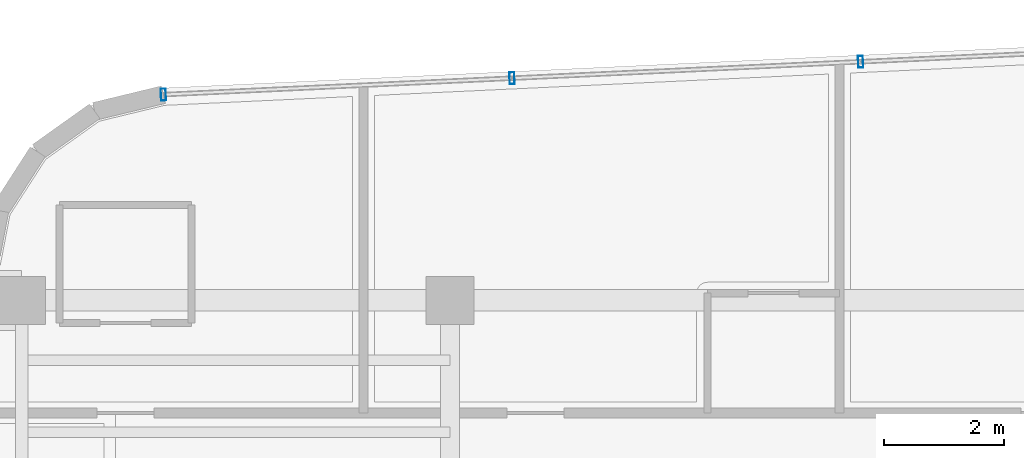
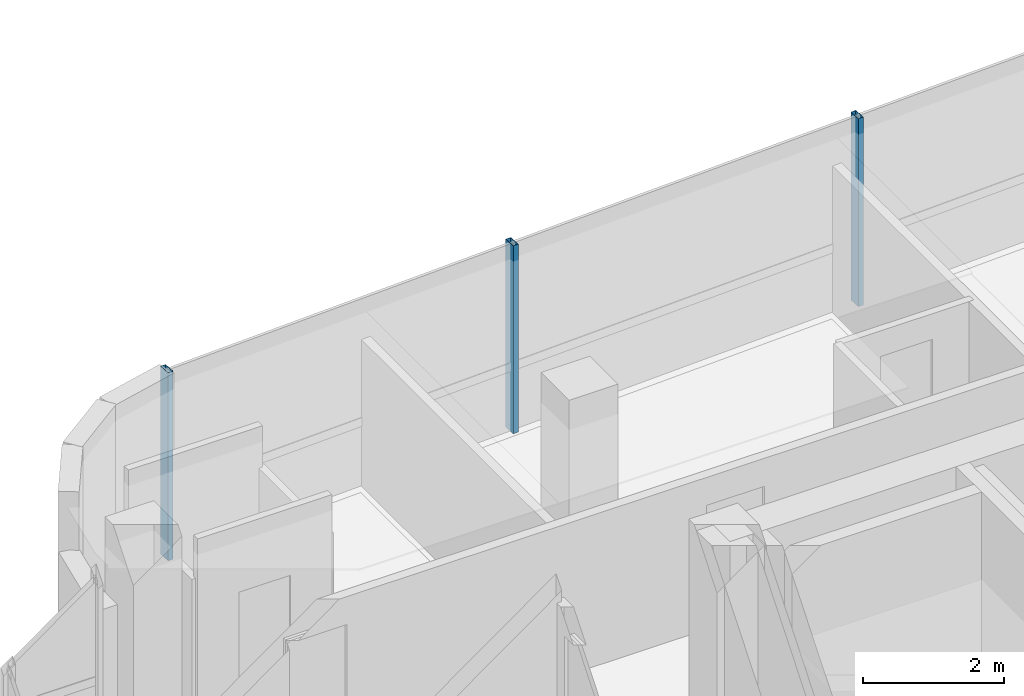
# One storey, part 12 of 21: 3 members, 1 element without a shape of its own.
"""IFC4 building model written with IfcOpenShell, lengths in metres."""

from ifc_helpers import new_model, si_unit, direction, frame, origin, origin_2d, place, context, subcontext, project, spatial, hollow_rectangle, extrude, source, transform, mapped, material, material_profile, profile_set, type_object, element, aggregate, save


model = new_model("IFC4")

# Units and contexts
model_context = context("Model", 3, precision=1e-05, world=origin(), true_north=direction((0.0, 1.0)))
body_context = subcontext(model_context, "Body", "Model", "MODEL_VIEW")
ifc_project = project(units=[si_unit("LENGTHUNIT", "METRE"), si_unit("AREAUNIT", "SQUARE_METRE"), si_unit("VOLUMEUNIT", "CUBIC_METRE"), si_unit("PLANEANGLEUNIT", "RADIAN"), si_unit("MASSUNIT", "GRAM", prefix="KILO")], contexts=[model_context])

# Site, building, storey
site_placement = place(None, origin())
site = spatial("IfcSite", under=ifc_project, at=site_placement, CompositionType="ELEMENT")
building_placement = place(site_placement, origin())
building = spatial("IfcBuilding", under=site, at=building_placement, Name="Valdorenza Pilgrim Sanctuary Tower", CompositionType="ELEMENT")
storey_placement = place(building_placement, frame((0.0, 0.0, 251.0)))
storey = spatial("IfcBuildingStorey", under=building, at=storey_placement, Name="L65", CompositionType="ELEMENT", Elevation=251.0)

# Curtain wall, members
ifc_material_1 = material(Name="Curtain-wall IGU glazing", Category="glass")
curtain_wall_type = type_object("IfcCurtainWallType", Name="CW-SYS-02", PredefinedType="NOTDEFINED", material=ifc_material_1)
curtain_wall_placement = place(storey_placement, origin())
curtain_wall = element("IfcCurtainWall", 1, at=curtain_wall_placement, inside=storey, type_object=curtain_wall_type, Name="L65 Curtain Wall CW-L65-1-6", PredefinedType="NOTDEFINED")
ifc_material_2 = material(Name="Anodised aluminium AW-6060", Category="aluminium")
ifc_material_profile = material_profile(ifc_material_2, hollow_rectangle(XDim=0.0849609375, YDim=0.199951171875, WallThickness=0.0048828125, at=origin_2d()), Name="ALU-M 200x85x5")
ifc_profile_set = profile_set([ifc_material_profile], Name="Anodised aluminium AW-6060")
member_type = type_object("IfcMemberType", Name="CW-MUL-02", PredefinedType="MULLION", material=ifc_profile_set)
shared_shape = source(origin(), body_context, "Body", "SweptSolid", [
    extrude(hollow_rectangle(XDim=0.0849609375, YDim=0.199951171875, WallThickness=0.0048828125, at=origin_2d()), origin(), (0.0, 0.0, 1.0), 3.260009765625),
])
member_1_placement = place(storey_placement, frame((-27.43505859375, 18.234375, 0.0), z_axis=(0.0, 0.0, 1.0), x_axis=(0.998890696972, 0.047089016785, 0.0)))
member_1 = element("IfcMember", 2, at=member_1_placement, type_object=member_type, Name="CW-L65-1-6 Mullion 1", PredefinedType="MULLION", context=body_context, shape_type="MappedRepresentation", body=[
    mapped(shared_shape, transform((0.0, 0.0, 0.0), x_axis=(1.0, 0.0, 0.0), y_axis=(0.0, 1.0, 0.0), z_axis=(0.0, 0.0, 1.0), scale=1.0)),
])
member_2_placement = place(storey_placement, frame((-21.615478515625, 18.5087890625, 0.0), z_axis=(0.0, 0.0, 1.0), x_axis=(0.998890696972, 0.047089016785, 0.0)))
member_2 = element("IfcMember", 3, at=member_2_placement, type_object=member_type, Name="CW-L65-1-6 Mullion 2", PredefinedType="MULLION", context=body_context, shape_type="MappedRepresentation", body=[
    mapped(shared_shape, transform((0.0, 0.0, 0.0), x_axis=(1.0, 0.0, 0.0), y_axis=(0.0, 1.0, 0.0), z_axis=(0.0, 0.0, 1.0), scale=1.0)),
])
member_3_placement = place(storey_placement, frame((-15.7958984375, 18.782958984375, 0.0), z_axis=(0.0, 0.0, 1.0), x_axis=(0.998890696972, 0.047089016785, 0.0)))
member_3 = element("IfcMember", 4, at=member_3_placement, type_object=member_type, Name="CW-L65-1-6 Mullion 3", PredefinedType="MULLION", context=body_context, shape_type="MappedRepresentation", body=[
    mapped(shared_shape, transform((0.0, 0.0, 0.0), x_axis=(1.0, 0.0, 0.0), y_axis=(0.0, 1.0, 0.0), z_axis=(0.0, 0.0, 1.0), scale=1.0)),
])
aggregate(curtain_wall, [member_1, member_2, member_3])

save(model, "model.ifc")
